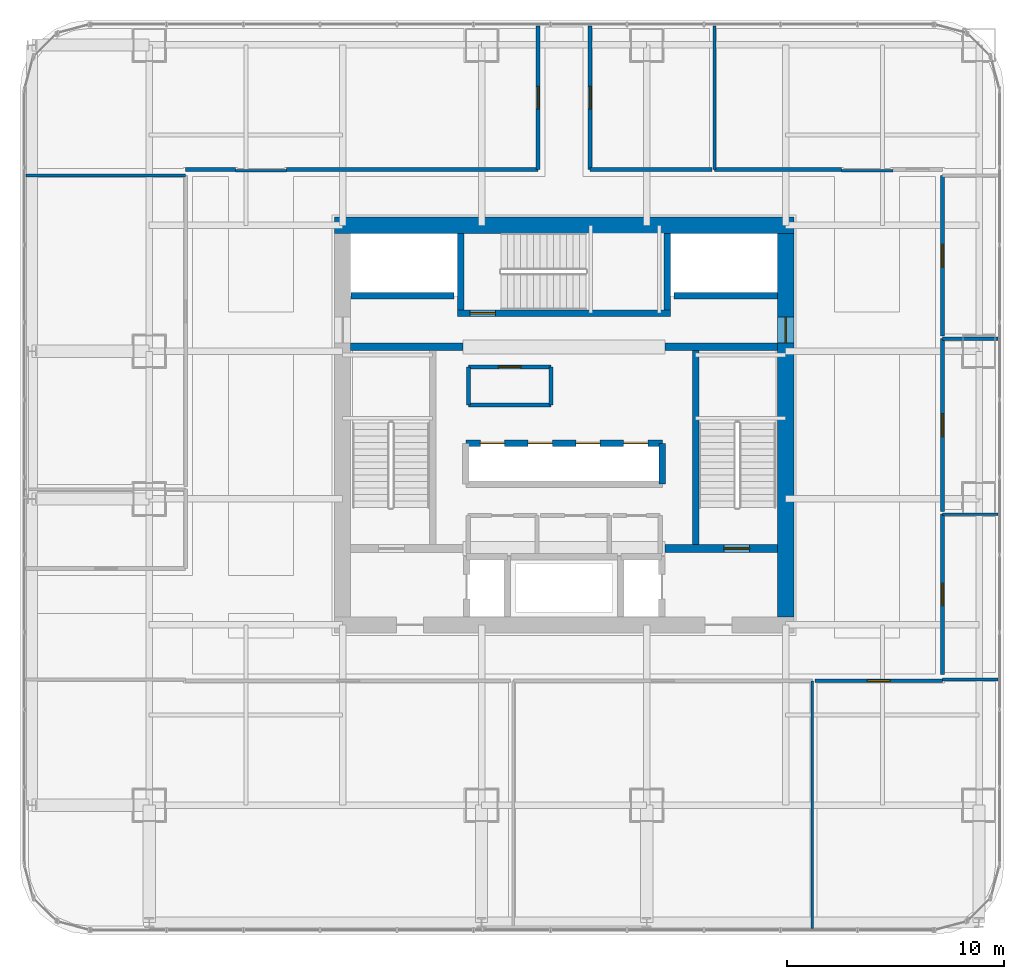
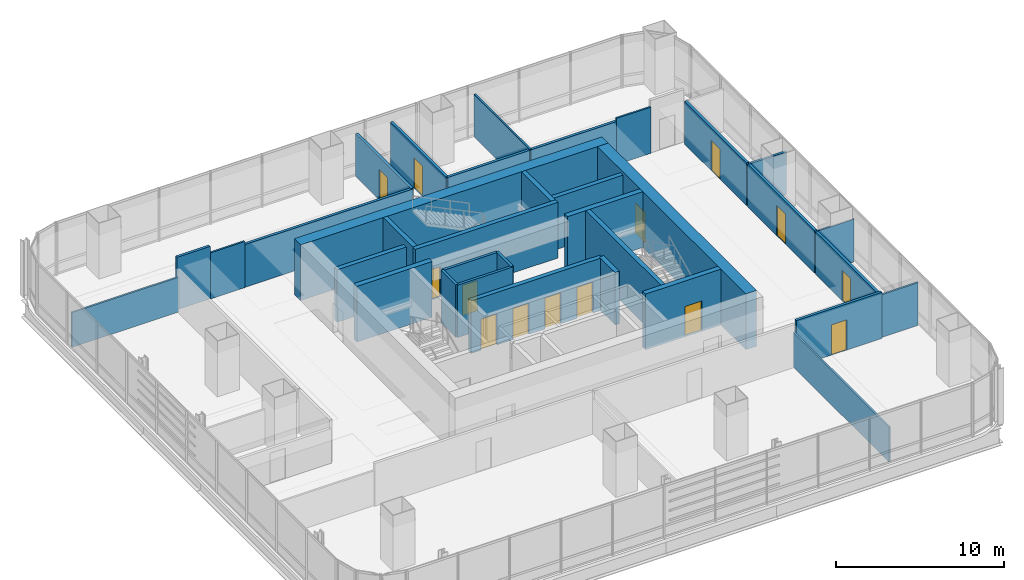
# One storey, part 29 of 36: 35 walls, 14 doors, 14 openings.
"""IFC4 building model written with IfcOpenShell, lengths in metres."""

from ifc_helpers import new_model, si_unit, direction, frame, frame_2d, origin, place, context, subcontext, project, spatial, rectangle, extrude, material, layer, layer_set, type_object, element, fill, save


model = new_model("IFC4")

# Units and contexts
model_context = context("Model", 3, precision=1e-05, world=origin(), true_north=direction((0.0, 1.0)))
body_context = subcontext(model_context, "Body", "Model", "MODEL_VIEW")
ifc_project = project(units=[si_unit("LENGTHUNIT", "METRE"), si_unit("AREAUNIT", "SQUARE_METRE"), si_unit("VOLUMEUNIT", "CUBIC_METRE"), si_unit("PLANEANGLEUNIT", "RADIAN"), si_unit("MASSUNIT", "GRAM", prefix="KILO")], contexts=[model_context])

# Site, building, storey
site_placement = place(None, origin())
site = spatial("IfcSite", under=ifc_project, at=site_placement, CompositionType="ELEMENT")
building_placement = place(site_placement, origin())
building = spatial("IfcBuilding", under=site, at=building_placement, Name="Punatoya Terracotta Tower", CompositionType="ELEMENT")
storey_placement = place(building_placement, frame((0.0, 0.0, 32.25)))
storey = spatial("IfcBuildingStorey", under=building, at=storey_placement, Name="L06", CompositionType="ELEMENT", Elevation=32.25)

# Wall
ifc_material_1 = material(Name="Concrete C60/75", Category="concrete")
ifc_layer_1 = layer(ifc_material_1, 0.75)
ifc_layer_set_1 = layer_set([ifc_layer_1], Name="Concrete C60/75")
wall_type_1 = type_object("IfcWallType", Name="WL-COR-750", PredefinedType="SHEAR", material=ifc_layer_set_1)
wall_1_placement = place(storey_placement, frame((-10.574951171875, 9.199951171875, 0.0), z_axis=(0.0, 0.0, 1.0), x_axis=(1.0, 0.0, 0.0)))
element("IfcWall", 1, at=wall_1_placement, inside=storey, type_object=wall_type_1, Name="L06 Core Shear Wall N", PredefinedType="SHEAR", context=body_context, shape_type="SweptSolid", body=[
    extrude(rectangle(XDim=21.14990234375, YDim=0.75, at=frame_2d((10.574951171875, 0.0))), origin(), (0.0, 0.0, 1.0), 4.050048828125),
])

# Wall, opening, door
wall_2_placement = place(storey_placement, frame((10.199951171875, 8.824951171875, 0.0), z_axis=(0.0, 0.0, 1.0), x_axis=(0.0, -1.0, 0.0)))
wall_2 = element("IfcWall", 2, at=wall_2_placement, inside=storey, type_object=wall_type_1, Name="L06 Core Shear Wall E", PredefinedType="SHEAR", context=body_context, shape_type="SweptSolid", body=[
    extrude(rectangle(XDim=17.64990234375, YDim=0.75, at=frame_2d((8.824951171875, 0.0))), origin(), (0.0, 0.0, 1.0), 4.050048828125),
])
opening_1_placement = place(wall_2_placement, frame((3.85498046875, 0.0, 0.0)))
opening_1 = element("IfcOpeningElement", 3, at=opening_1_placement, cuts=wall_2, Name="Opening SD-01", PredefinedType="OPENING", context=body_context, shape_type="SweptSolid", body=[
    extrude(rectangle(XDim=1.179931640625, YDim=2.199951171875, at=frame_2d((0.58984375, 1.10009765625))), frame((0.0, 0.385009765625, 0.0), z_axis=(0.0, -1.0, 0.0), x_axis=(1.0, 0.0, 0.0)), (0.0, 0.0, 1.0), 0.77001953125),
])
ifc_material_2 = material(Name="Galvanised Steel Pressurized Stair Fire Door", Category="steel")
door_type_1 = type_object("IfcDoorType", Name="DR-STR-1180", OperationType="NOTDEFINED", PredefinedType="DOOR", material=ifc_material_2)
door_1_placement = place(opening_1_placement, origin())
door_1 = element("IfcDoor", 4, at=door_1_placement, inside=storey, type_object=door_type_1, Name="L06 Central Lift Lobby East Fire Door", OperationType="SINGLE_SWING_RIGHT", OverallHeight=2.199951171875, OverallWidth=1.179931640625, PredefinedType="DOOR", context=body_context, shape_type="SweptSolid", body=[
    extrude(rectangle(XDim=1.179931640625, YDim=2.199951171875, at=frame_2d((0.58984375, 1.10009765625))), frame((0.0, 0.02490234375, 0.0), z_axis=(0.0, -1.0, 0.0), x_axis=(1.0, 0.0, 0.0)), (0.0, 0.0, 1.0), 0.050048828125),
])
fill(opening_1, door_1)

# Wall
ifc_material_3 = material(Name="Gypsum Fireboard + Steel Stud", Category="steel")
ifc_layer_2 = layer(ifc_material_3, 0.179931640625)
ifc_layer_set_2 = layer_set([ifc_layer_2], Name="Gypsum Fireboard + Steel Stud")
wall_type_2 = type_object("IfcWallType", Name="WL-CORR-180", PredefinedType="PARTITIONING", material=ifc_layer_set_2)
wall_3_placement = place(storey_placement, frame((-0.60009765625, 0.919921875, 0.0), z_axis=(0.0, 0.0, 1.0), x_axis=(0.0, 1.0, 0.0)))
element("IfcWall", 5, at=wall_3_placement, inside=storey, type_object=wall_type_2, Name="L06 West Core Archive Office Partition 08", PredefinedType="PARTITIONING", context=body_context, shape_type="SweptSolid", body=[
    extrude(rectangle(XDim=1.760009765625, YDim=0.179931640625, at=frame_2d((0.8798828125, 0.0))), origin(), (0.0, 0.0, 1.0), 3.81005859375),
])

# Wall, opening, door
wall_4_placement = place(storey_placement, frame((-0.60009765625, 2.679931640625, 0.0), z_axis=(0.0, 0.0, 1.0), x_axis=(-1.0, 0.0, 0.0)))
wall_4 = element("IfcWall", 6, at=wall_4_placement, inside=storey, type_object=wall_type_2, Name="L06 West Core Archive Office Partition 09", PredefinedType="PARTITIONING", context=body_context, shape_type="SweptSolid", body=[
    extrude(rectangle(XDim=3.7998046875, YDim=0.179931640625, at=frame_2d((1.89990234375, 0.0))), origin(), (0.0, 0.0, 1.0), 3.81005859375),
])
opening_2_placement = place(wall_4_placement, frame((1.375, 0.0, 0.0)))
opening_2 = element("IfcOpeningElement", 7, at=opening_2_placement, cuts=wall_4, Name="Opening OD-01", PredefinedType="OPENING", context=body_context, shape_type="SweptSolid", body=[
    extrude(rectangle(XDim=1.050048828125, YDim=2.199951171875, at=frame_2d((0.52490234375, 1.10009765625))), frame((0.0, 0.099853515625, 0.0), z_axis=(0.0, -1.0, 0.0), x_axis=(1.0, 0.0, 0.0)), (0.0, 0.0, 1.0), 0.199951171875),
])
ifc_material_4 = material(Name="Bengal Teak Solid-Core Leaf")
door_type_2 = type_object("IfcDoorType", Name="DR-OFF-1050", OperationType="NOTDEFINED", PredefinedType="DOOR", material=ifc_material_4)
door_2_placement = place(opening_2_placement, origin())
door_2 = element("IfcDoor", 8, at=door_2_placement, inside=storey, type_object=door_type_2, Name="L06 West Archive Office Door", OperationType="SINGLE_SWING_LEFT", OverallHeight=2.199951171875, OverallWidth=1.050048828125, PredefinedType="DOOR", context=body_context, shape_type="SweptSolid", body=[
    extrude(rectangle(XDim=1.050048828125, YDim=2.199951171875, at=frame_2d((0.52490234375, 1.10009765625))), frame((0.0, 0.02490234375, 0.0), z_axis=(0.0, -1.0, 0.0), x_axis=(1.0, 0.0, 0.0)), (0.0, 0.0, 1.0), 0.050048828125),
])
fill(opening_2, door_2)

# Walls
wall_5_placement = place(storey_placement, frame((-4.39990234375, 2.679931640625, 0.0), z_axis=(0.0, 0.0, 1.0), x_axis=(0.0, -1.0, 0.0)))
element("IfcWall", 9, at=wall_5_placement, inside=storey, type_object=wall_type_2, Name="L06 West Core Archive Office Partition 10", PredefinedType="PARTITIONING", context=body_context, shape_type="SweptSolid", body=[
    extrude(rectangle(XDim=1.760009765625, YDim=0.179931640625, at=frame_2d((0.8798828125, 0.0))), origin(), (0.0, 0.0, 1.0), 3.81005859375),
])
wall_6_placement = place(storey_placement, frame((-4.39990234375, 0.919921875, 0.0), z_axis=(0.0, 0.0, 1.0), x_axis=(1.0, 0.0, 0.0)))
element("IfcWall", 10, at=wall_6_placement, inside=storey, type_object=wall_type_2, Name="L06 West Core Archive Office Partition 11", PredefinedType="PARTITIONING", context=body_context, shape_type="SweptSolid", body=[
    extrude(rectangle(XDim=3.7998046875, YDim=0.179931640625, at=frame_2d((1.89990234375, 0.0))), origin(), (0.0, 0.0, 1.0), 3.81005859375),
])

# Wall, opening, door
wall_7_placement = place(storey_placement, frame((11.550048828125, -11.77001953125, 0.0), z_axis=(0.0, 0.0, 1.0), x_axis=(1.0, 0.0, 0.0)))
wall_7 = element("IfcWall", 11, at=wall_7_placement, inside=storey, type_object=wall_type_2, Name="L06 Open-Plan Project Design Office Partition 18", PredefinedType="PARTITIONING", context=body_context, shape_type="SweptSolid", body=[
    extrude(rectangle(XDim=5.869873046875, YDim=0.179931640625, at=frame_2d((2.93505859375, 0.0))), origin(), (0.0, 0.0, 1.0), 3.35400390625),
])
opening_3_placement = place(wall_7_placement, frame((2.409912109375, 0.0, 0.0)))
opening_3 = element("IfcOpeningElement", 12, at=opening_3_placement, cuts=wall_7, Name="Opening OD-01", PredefinedType="OPENING", context=body_context, shape_type="SweptSolid", body=[
    extrude(rectangle(XDim=1.050048828125, YDim=2.199951171875, at=frame_2d((0.52490234375, 1.10009765625))), frame((0.0, 0.099853515625, 0.0), z_axis=(0.0, -1.0, 0.0), x_axis=(1.0, 0.0, 0.0)), (0.0, 0.0, 1.0), 0.199951171875),
])
door_3_placement = place(opening_3_placement, origin())
door_3 = element("IfcDoor", 13, at=door_3_placement, inside=storey, type_object=door_type_2, Name="L06 Open-Plan Project Design Office Door", OperationType="SINGLE_SWING_RIGHT", OverallHeight=2.199951171875, OverallWidth=1.050048828125, PredefinedType="DOOR", context=body_context, shape_type="SweptSolid", body=[
    extrude(rectangle(XDim=1.050048828125, YDim=2.199951171875, at=frame_2d((0.52490234375, 1.10009765625))), frame((0.0, 0.02490234375, 0.0), z_axis=(0.0, -1.0, 0.0), x_axis=(1.0, 0.0, 0.0)), (0.0, 0.0, 1.0), 0.050048828125),
])
fill(opening_3, door_3)

wall_8_placement = place(storey_placement, frame((17.419921875, -11.489990234375, 0.0), z_axis=(0.0, 0.0, 1.0), x_axis=(0.0, 1.0, 0.0)))
wall_8 = element("IfcWall", 14, at=wall_8_placement, inside=storey, type_object=wall_type_2, Name="L06 Client Strategy Boardroom Partition 20", PredefinedType="PARTITIONING", context=body_context, shape_type="SweptSolid", body=[
    extrude(rectangle(XDim=7.386962890625, YDim=0.179931640625, at=frame_2d((3.693359375, 0.0))), origin(), (0.0, 0.0, 1.0), 3.10400390625),
])
opening_4_placement = place(wall_8_placement, frame((3.18359375, 0.0, 0.0)))
opening_4 = element("IfcOpeningElement", 15, at=opening_4_placement, cuts=wall_8, Name="Opening MD-01", PredefinedType="OPENING", context=body_context, shape_type="SweptSolid", body=[
    extrude(rectangle(XDim=1.02001953125, YDim=2.199951171875, at=frame_2d((0.510009765625, 1.10009765625))), frame((0.0, 0.099853515625, 0.0), z_axis=(0.0, -1.0, 0.0), x_axis=(1.0, 0.0, 0.0)), (0.0, 0.0, 1.0), 0.199951171875),
])
ifc_material_5 = material(Name="Aluminium + Acoustic Glass Leaf", Category="aluminium")
door_type_3 = type_object("IfcDoorType", Name="DR-MTG-1020", OperationType="NOTDEFINED", PredefinedType="DOOR", material=ifc_material_5)
door_4_placement = place(opening_4_placement, origin())
door_4 = element("IfcDoor", 16, at=door_4_placement, inside=storey, type_object=door_type_3, Name="L06 Client Strategy Boardroom Door", OperationType="SINGLE_SWING_LEFT", OverallHeight=2.199951171875, OverallWidth=1.02001953125, PredefinedType="DOOR", context=body_context, shape_type="SweptSolid", body=[
    extrude(rectangle(XDim=1.02001953125, YDim=2.199951171875, at=frame_2d((0.510009765625, 1.10009765625))), frame((0.0, 0.02490234375, 0.0), z_axis=(0.0, -1.0, 0.0), x_axis=(1.0, 0.0, 0.0)), (0.0, 0.0, 1.0), 0.050048828125),
])
fill(opening_4, door_4)

wall_9_placement = place(storey_placement, frame((17.419921875, -3.98291015625, 0.0), z_axis=(0.0, 0.0, 1.0), x_axis=(0.0, 1.0, 0.0)))
wall_9 = element("IfcWall", 17, at=wall_9_placement, inside=storey, type_object=wall_type_2, Name="L06 Open-Plan Staff Tea Pantry Partition 25", PredefinedType="PARTITIONING", context=body_context, shape_type="SweptSolid", body=[
    extrude(rectangle(XDim=7.9658203125, YDim=0.179931640625, at=frame_2d((3.98291015625, 0.0))), origin(), (0.0, 0.0, 1.0), 3.10400390625),
])
opening_5_placement = place(wall_9_placement, frame((3.4580078125, 0.0, 0.0)))
opening_5 = element("IfcOpeningElement", 18, at=opening_5_placement, cuts=wall_9, Name="Opening OD-01", PredefinedType="OPENING", context=body_context, shape_type="SweptSolid", body=[
    extrude(rectangle(XDim=1.050048828125, YDim=2.199951171875, at=frame_2d((0.52490234375, 1.10009765625))), frame((0.0, 0.099853515625, 0.0), z_axis=(0.0, -1.0, 0.0), x_axis=(1.0, 0.0, 0.0)), (0.0, 0.0, 1.0), 0.199951171875),
])
door_5_placement = place(opening_5_placement, origin())
door_5 = element("IfcDoor", 19, at=door_5_placement, inside=storey, type_object=door_type_2, Name="L06 Open-Plan Staff Tea Pantry Door", OperationType="SINGLE_SWING_LEFT", OverallHeight=2.199951171875, OverallWidth=1.050048828125, PredefinedType="DOOR", context=body_context, shape_type="SweptSolid", body=[
    extrude(rectangle(XDim=1.050048828125, YDim=2.199951171875, at=frame_2d((0.52490234375, 1.10009765625))), frame((0.0, 0.02490234375, 0.0), z_axis=(0.0, -1.0, 0.0), x_axis=(1.0, 0.0, 0.0)), (0.0, 0.0, 1.0), 0.050048828125),
])
fill(opening_5, door_5)

wall_10_placement = place(storey_placement, frame((17.419921875, 4.10302734375, 0.0), z_axis=(0.0, 0.0, 1.0), x_axis=(0.0, 1.0, 0.0)))
wall_10 = element("IfcWall", 20, at=wall_10_placement, inside=storey, type_object=wall_type_2, Name="L06 Systems Engineering Office Partition 29", PredefinedType="PARTITIONING", context=body_context, shape_type="SweptSolid", body=[
    extrude(rectangle(XDim=7.386962890625, YDim=0.179931640625, at=frame_2d((3.693359375, 0.0))), origin(), (0.0, 0.0, 1.0), 3.10400390625),
])
opening_6_placement = place(wall_10_placement, frame((3.16845703125, 0.0, 0.0)))
opening_6 = element("IfcOpeningElement", 21, at=opening_6_placement, cuts=wall_10, Name="Opening OD-01", PredefinedType="OPENING", context=body_context, shape_type="SweptSolid", body=[
    extrude(rectangle(XDim=1.050048828125, YDim=2.199951171875, at=frame_2d((0.52490234375, 1.10009765625))), frame((0.0, 0.099853515625, 0.0), z_axis=(0.0, -1.0, 0.0), x_axis=(1.0, 0.0, 0.0)), (0.0, 0.0, 1.0), 0.199951171875),
])
door_6_placement = place(opening_6_placement, origin())
door_6 = element("IfcDoor", 22, at=door_6_placement, inside=storey, type_object=door_type_2, Name="L06 Systems Engineering Office Door", OperationType="SINGLE_SWING_LEFT", OverallHeight=2.199951171875, OverallWidth=1.050048828125, PredefinedType="DOOR", context=body_context, shape_type="SweptSolid", body=[
    extrude(rectangle(XDim=1.050048828125, YDim=2.199951171875, at=frame_2d((0.52490234375, 1.10009765625))), frame((0.0, 0.02490234375, 0.0), z_axis=(0.0, -1.0, 0.0), x_axis=(1.0, 0.0, 0.0)), (0.0, 0.0, 1.0), 0.050048828125),
])
fill(opening_6, door_6)

wall_11_placement = place(storey_placement, frame((-1.199951171875, 18.3701171875, 0.0), z_axis=(0.0, 0.0, 1.0), x_axis=(0.0, -1.0, 0.0)))
wall_11 = element("IfcWall", 23, at=wall_11_placement, inside=storey, type_object=wall_type_2, Name="L06 Quantitative Practice Office Partition 30", PredefinedType="PARTITIONING", context=body_context, shape_type="SweptSolid", body=[
    extrude(rectangle(XDim=6.60009765625, YDim=0.179931640625, at=frame_2d((3.300048828125, 0.0))), origin(), (0.0, 0.0, 1.0), 3.10400390625),
])
opening_7_placement = place(wall_11_placement, frame((2.77490234375, 0.0, 0.0)))
opening_7 = element("IfcOpeningElement", 24, at=opening_7_placement, cuts=wall_11, Name="Opening OD-01", PredefinedType="OPENING", context=body_context, shape_type="SweptSolid", body=[
    extrude(rectangle(XDim=1.050048828125, YDim=2.199951171875, at=frame_2d((0.52490234375, 1.10009765625))), frame((0.0, 0.099853515625, 0.0), z_axis=(0.0, -1.0, 0.0), x_axis=(1.0, 0.0, 0.0)), (0.0, 0.0, 1.0), 0.199951171875),
])
door_7_placement = place(opening_7_placement, origin())
door_7 = element("IfcDoor", 25, at=door_7_placement, inside=storey, type_object=door_type_2, Name="L06 Quantitative Practice Office Door", OperationType="SINGLE_SWING_RIGHT", OverallHeight=2.199951171875, OverallWidth=1.050048828125, PredefinedType="DOOR", context=body_context, shape_type="SweptSolid", body=[
    extrude(rectangle(XDim=1.050048828125, YDim=2.199951171875, at=frame_2d((0.52490234375, 1.10009765625))), frame((0.0, 0.02490234375, 0.0), z_axis=(0.0, -1.0, 0.0), x_axis=(1.0, 0.0, 0.0)), (0.0, 0.0, 1.0), 0.050048828125),
])
fill(opening_7, door_7)

# Walls
wall_12_placement = place(storey_placement, frame((-1.199951171875, 11.77001953125, 0.0), z_axis=(0.0, 0.0, 1.0), x_axis=(-1.0, 0.0, 0.0)))
element("IfcWall", 26, at=wall_12_placement, inside=storey, type_object=wall_type_2, Name="L06 Quantitative Practice Office Partition 31", PredefinedType="PARTITIONING", context=body_context, shape_type="SweptSolid", body=[
    extrude(rectangle(XDim=11.570068359375, YDim=0.179931640625, at=frame_2d((5.78515625, 0.0))), origin(), (0.0, 0.0, 1.0), 3.10400390625),
])
wall_13_placement = place(storey_placement, frame((-15.1298828125, 11.77001953125, 0.0), z_axis=(0.0, 0.0, 1.0), x_axis=(-1.0, 0.0, 0.0)))
element("IfcWall", 27, at=wall_13_placement, inside=storey, type_object=wall_type_2, Name="L06 Quantitative Practice Office Partition 33", PredefinedType="PARTITIONING", context=body_context, shape_type="SweptSolid", body=[
    extrude(rectangle(XDim=2.2900390625, YDim=0.179931640625, at=frame_2d((1.14501953125, 0.0))), origin(), (0.0, 0.0, 1.0), 3.81005859375),
])
wall_14_placement = place(storey_placement, frame((12.77001953125, 11.77001953125, 0.0), z_axis=(0.0, 0.0, 1.0), x_axis=(-1.0, 0.0, 0.0)))
element("IfcWall", 28, at=wall_14_placement, inside=storey, type_object=wall_type_2, Name="L06 Open-Plan Regional Operations Office Partition 36", PredefinedType="PARTITIONING", context=body_context, shape_type="SweptSolid", body=[
    extrude(rectangle(XDim=5.85009765625, YDim=0.179931640625, at=frame_2d((2.925048828125, 0.0))), origin(), (0.0, 0.0, 1.0), 3.10400390625),
])

# Wall, opening, door
wall_15_placement = place(storey_placement, frame((1.199951171875, 11.77001953125, 0.0), z_axis=(0.0, 0.0, 1.0), x_axis=(0.0, 1.0, 0.0)))
wall_15 = element("IfcWall", 29, at=wall_15_placement, inside=storey, type_object=wall_type_2, Name="L06 Open-Plan Global Desk Workplace Partition 38", PredefinedType="PARTITIONING", context=body_context, shape_type="SweptSolid", body=[
    extrude(rectangle(XDim=6.60009765625, YDim=0.179931640625, at=frame_2d((3.300048828125, 0.0))), origin(), (0.0, 0.0, 1.0), 3.10400390625),
])
opening_8_placement = place(wall_15_placement, frame((2.77490234375, 0.0, 0.0)))
opening_8 = element("IfcOpeningElement", 30, at=opening_8_placement, cuts=wall_15, Name="Opening OD-01", PredefinedType="OPENING", context=body_context, shape_type="SweptSolid", body=[
    extrude(rectangle(XDim=1.050048828125, YDim=2.199951171875, at=frame_2d((0.52490234375, 1.10009765625))), frame((0.0, 0.099853515625, 0.0), z_axis=(0.0, -1.0, 0.0), x_axis=(1.0, 0.0, 0.0)), (0.0, 0.0, 1.0), 0.199951171875),
])
door_8_placement = place(opening_8_placement, origin())
door_8 = element("IfcDoor", 31, at=door_8_placement, inside=storey, type_object=door_type_2, Name="L06 Open-Plan Global Desk Workplace Door", OperationType="SINGLE_SWING_RIGHT", OverallHeight=2.199951171875, OverallWidth=1.050048828125, PredefinedType="DOOR", context=body_context, shape_type="SweptSolid", body=[
    extrude(rectangle(XDim=1.050048828125, YDim=2.199951171875, at=frame_2d((0.52490234375, 1.10009765625))), frame((0.0, 0.02490234375, 0.0), z_axis=(0.0, -1.0, 0.0), x_axis=(1.0, 0.0, 0.0)), (0.0, 0.0, 1.0), 0.050048828125),
])
fill(opening_8, door_8)

# Walls
wall_16_placement = place(storey_placement, frame((6.800048828125, 11.77001953125, 0.0), z_axis=(0.0, 0.0, 1.0), x_axis=(-1.0, 0.0, 0.0)))
element("IfcWall", 32, at=wall_16_placement, inside=storey, type_object=wall_type_2, Name="L06 Open-Plan Global Desk Workplace Partition 39", PredefinedType="PARTITIONING", context=body_context, shape_type="SweptSolid", body=[
    extrude(rectangle(XDim=5.60009765625, YDim=0.179931640625, at=frame_2d((2.800048828125, 0.0))), origin(), (0.0, 0.0, 1.0), 3.10400390625),
])
ifc_material_6 = material(Name="Aluminium Framed Acoustic Glass Partition", Category="aluminium")
ifc_layer_3 = layer(ifc_material_6, 0.10009765625)
ifc_layer_set_3 = layer_set([ifc_layer_3], Name="Aluminium Framed Acoustic Glass Partition")
wall_type_3 = type_object("IfcWallType", Name="WL-GLZ-100", PredefinedType="PARTITIONING", material=ifc_layer_set_3)
wall_17_placement = place(storey_placement, frame((17.419921875, -4.10302734375, 0.0), z_axis=(0.0, 0.0, 1.0), x_axis=(1.0, 0.0, 0.0)))
element("IfcWall", 33, at=wall_17_placement, inside=storey, type_object=wall_type_3, Name="L06 Client Strategy Boardroom Partition 19", PredefinedType="PARTITIONING", context=body_context, shape_type="SweptSolid", body=[
    extrude(rectangle(XDim=2.550048828125, YDim=0.10009765625, at=frame_2d((1.27490234375, 0.0))), origin(), (0.0, 0.0, 1.0), 3.10400390625),
])
ifc_material_7 = material(Name="Gypsum Partition + Steel Stud", Category="steel")
ifc_layer_4 = layer(ifc_material_7, 0.1201171875)
ifc_layer_set_4 = layer_set([ifc_layer_4], Name="Gypsum Partition + Steel Stud")
wall_type_4 = type_object("IfcWallType", Name="WL-OFF-120", PredefinedType="PARTITIONING", material=ifc_layer_set_4)
wall_18_placement = place(storey_placement, frame((11.429931640625, -11.77001953125, 0.0), z_axis=(0.0, 0.0, 1.0), x_axis=(0.0, -1.0, 0.0)))
element("IfcWall", 34, at=wall_18_placement, inside=storey, type_object=wall_type_4, Name="L06 Open Workplace Studio Partition 12", PredefinedType="PARTITIONING", context=body_context, shape_type="SweptSolid", body=[
    extrude(rectangle(XDim=11.39990234375, YDim=0.1201171875, at=frame_2d((5.699951171875, 0.0))), origin(), (0.0, 0.0, 1.0), 2.52392578125),
])
wall_19_placement = place(storey_placement, frame((17.419921875, -11.7099609375, 0.0), z_axis=(0.0, 0.0, 1.0), x_axis=(1.0, 0.0, 0.0)))
element("IfcWall", 35, at=wall_19_placement, inside=storey, type_object=wall_type_4, Name="L06 Open-Plan Project Design Office Partition 17", PredefinedType="PARTITIONING", context=body_context, shape_type="SweptSolid", body=[
    extrude(rectangle(XDim=2.550048828125, YDim=0.1201171875, at=frame_2d((1.27490234375, 0.0))), origin(), (0.0, 0.0, 1.0), 3.10400390625),
])
wall_20_placement = place(storey_placement, frame((-24.77001953125, 11.489990234375, 0.0), z_axis=(0.0, 0.0, 1.0), x_axis=(1.0, 0.0, 0.0)))
element("IfcWall", 36, at=wall_20_placement, inside=storey, type_object=wall_type_4, Name="L06 Open-Plan Wellness Quiet Room Partition 26", PredefinedType="PARTITIONING", context=body_context, shape_type="SweptSolid", body=[
    extrude(rectangle(XDim=7.35009765625, YDim=0.1201171875, at=frame_2d((3.675048828125, 0.0))), origin(), (0.0, 0.0, 1.0), 2.52392578125),
])
for number, where, z_axis, x_axis, name in (
    (37, (-12.77001953125, 11.7099609375, 0.0), (0.0, 0.0, 1.0), (-1.0, 0.0, 0.0), "L06 Quantitative Practice Office Partition 32"),
    (38, (15.1298828125, 11.7099609375, 0.0), (0.0, 0.0, 1.0), (-1.0, 0.0, 0.0), "L06 Open-Plan Regional Operations Office Partition 35"),
):
    element("IfcWall", number, at=place(storey_placement, frame(where, z_axis=z_axis, x_axis=x_axis)), inside=storey, type_object=wall_type_4, Name=name, PredefinedType="PARTITIONING", context=body_context, shape_type="SweptSolid", body=[
        extrude(rectangle(XDim=2.35986328125, YDim=0.1201171875, at=frame_2d((1.179931640625, 0.0))), origin(), (0.0, 0.0, 1.0), 3.35400390625),
    ])
wall_21_placement = place(storey_placement, frame((6.919921875, 11.77001953125, 0.0), z_axis=(0.0, 0.0, 1.0), x_axis=(0.0, 1.0, 0.0)))
element("IfcWall", 39, at=wall_21_placement, inside=storey, type_object=wall_type_4, Name="L06 Open-Plan Regional Operations Office Partition 37", PredefinedType="PARTITIONING", context=body_context, shape_type="SweptSolid", body=[
    extrude(rectangle(XDim=6.60009765625, YDim=0.1201171875, at=frame_2d((3.300048828125, 0.0))), origin(), (0.0, 0.0, 1.0), 3.10400390625),
])
ifc_material_8 = material(Name="Concrete C40/50", Category="concrete")
ifc_layer_5 = layer(ifc_material_8, 0.300048828125)
ifc_layer_set_5 = layer_set([ifc_layer_5], Name="Concrete C40/50")
wall_type_5 = type_object("IfcWallType", Name="WL-SHF-300", PredefinedType="SOLIDWALL", material=ifc_layer_set_5)
wall_22_placement = place(storey_placement, frame((6.050048828125, 3.449951171875, 0.0), z_axis=(0.0, 0.0, 1.0), x_axis=(0.0, -1.0, 0.0)))
element("IfcWall", 40, at=wall_22_placement, inside=storey, type_object=wall_type_5, Name="L06 Structural Stair Shaft Wall SW-ST2-W", PredefinedType="SOLIDWALL", context=body_context, shape_type="SweptSolid", body=[
    extrude(rectangle(XDim=8.949951171875, YDim=0.300048828125, at=frame_2d((4.47509765625, 0.0))), origin(), (0.0, 0.0, 1.0), 4.050048828125),
])
for number, where, z_axis, x_axis, name in (
    (41, (-4.75, 5.300048828125, 0.0), (0.0, 0.0, 1.0), (0.0, 1.0, 0.0), "L06 Structural Stair Shaft Wall SW-ST3-W"),
    (42, (4.75, 8.824951171875, 0.0), (0.0, 0.0, 1.0), (0.0, -1.0, 0.0), "L06 Structural Stair Shaft Wall SW-ST3-E"),
):
    element("IfcWall", number, at=place(storey_placement, frame(where, z_axis=z_axis, x_axis=x_axis)), inside=storey, type_object=wall_type_5, Name=name, PredefinedType="SOLIDWALL", context=body_context, shape_type="SweptSolid", body=[
        extrude(rectangle(XDim=3.52490234375, YDim=0.300048828125, at=frame_2d((1.762451171875, 0.0))), origin(), (0.0, 0.0, 1.0), 4.050048828125),
    ])

# Wall, opening, door
wall_23_placement = place(storey_placement, frame((-4.89990234375, 5.14990234375, 0.0), z_axis=(0.0, 0.0, 1.0), x_axis=(1.0, 0.0, 0.0)))
wall_23 = element("IfcWall", 43, at=wall_23_placement, inside=storey, type_object=wall_type_5, Name="L06 Structural Stair Shaft Wall SW-ST3-S", PredefinedType="SOLIDWALL", context=body_context, shape_type="SweptSolid", body=[
    extrude(rectangle(XDim=9.7998046875, YDim=0.300048828125, at=frame_2d((4.89990234375, 0.0))), origin(), (0.0, 0.0, 1.0), 4.050048828125),
])
opening_9_placement = place(wall_23_placement, frame((0.56005859375, 0.0, 0.0)))
opening_9 = element("IfcOpeningElement", 44, at=opening_9_placement, cuts=wall_23, Name="Opening SD-01", PredefinedType="OPENING", context=body_context, shape_type="SweptSolid", body=[
    extrude(rectangle(XDim=1.179931640625, YDim=2.199951171875, at=frame_2d((0.58984375, 1.10009765625))), frame((0.0, 0.159912109375, 0.0), z_axis=(0.0, -1.0, 0.0), x_axis=(1.0, 0.0, 0.0)), (0.0, 0.0, 1.0), 0.320068359375),
])
door_9_placement = place(opening_9_placement, origin())
door_9 = element("IfcDoor", 45, at=door_9_placement, inside=storey, type_object=door_type_1, Name="L06 Stair ST-3 Core Lobby Fire Door", OperationType="SINGLE_SWING_LEFT", OverallHeight=2.199951171875, OverallWidth=1.179931640625, PredefinedType="DOOR", context=body_context, shape_type="SweptSolid", body=[
    extrude(rectangle(XDim=1.179931640625, YDim=2.199951171875, at=frame_2d((0.58984375, 1.10009765625))), frame((0.0, 0.02490234375, 0.0), z_axis=(0.0, -1.0, 0.0), x_axis=(1.0, 0.0, 0.0)), (0.0, 0.0, 1.0), 0.050048828125),
])
fill(opening_9, door_9)

# Wall, openings, doors
wall_24_placement = place(storey_placement, frame((-4.52001953125, -0.840087890625, 0.0), z_axis=(0.0, 0.0, 1.0), x_axis=(1.0, 0.0, 0.0)))
wall_24 = element("IfcWall", 46, at=wall_24_placement, inside=storey, type_object=wall_type_5, Name="L06 South Lift Bank Front Shaft Wall", PredefinedType="SOLIDWALL", context=body_context, shape_type="SweptSolid", body=[
    extrude(rectangle(XDim=9.0400390625, YDim=0.300048828125, at=frame_2d((4.52001953125, 0.0))), origin(), (0.0, 0.0, 1.0), 3.81005859375),
])
opening_10_placement = place(wall_24_placement, frame((0.659912109375, 0.0, 0.0)))
opening_10 = element("IfcOpeningElement", 47, at=opening_10_placement, cuts=wall_24, Name="Opening LD-02", PredefinedType="OPENING", context=body_context, shape_type="SweptSolid", body=[
    extrude(rectangle(XDim=1.1201171875, YDim=2.25, at=frame_2d((0.56005859375, 1.125))), frame((0.0, 0.159912109375, 0.0), z_axis=(0.0, -1.0, 0.0), x_axis=(1.0, 0.0, 0.0)), (0.0, 0.0, 1.0), 0.320068359375),
])
opening_11_placement = place(wall_24_placement, frame((2.860107421875, 0.0, 0.0)))
opening_11 = element("IfcOpeningElement", 48, at=opening_11_placement, cuts=wall_24, Name="Opening LD-02", PredefinedType="OPENING", context=body_context, shape_type="SweptSolid", body=[
    extrude(rectangle(XDim=1.1201171875, YDim=2.25, at=frame_2d((0.56005859375, 1.125))), frame((0.0, 0.159912109375, 0.0), z_axis=(0.0, -1.0, 0.0), x_axis=(1.0, 0.0, 0.0)), (0.0, 0.0, 1.0), 0.320068359375),
])
opening_12_placement = place(wall_24_placement, frame((5.06005859375, 0.0, 0.0)))
opening_12 = element("IfcOpeningElement", 49, at=opening_12_placement, cuts=wall_24, Name="Opening LD-02", PredefinedType="OPENING", context=body_context, shape_type="SweptSolid", body=[
    extrude(rectangle(XDim=1.1201171875, YDim=2.25, at=frame_2d((0.56005859375, 1.125))), frame((0.0, 0.159912109375, 0.0), z_axis=(0.0, -1.0, 0.0), x_axis=(1.0, 0.0, 0.0)), (0.0, 0.0, 1.0), 0.320068359375),
])
opening_13_placement = place(wall_24_placement, frame((7.260009765625, 0.0, 0.0)))
opening_13 = element("IfcOpeningElement", 50, at=opening_13_placement, cuts=wall_24, Name="Opening LD-02", PredefinedType="OPENING", context=body_context, shape_type="SweptSolid", body=[
    extrude(rectangle(XDim=1.1201171875, YDim=2.25, at=frame_2d((0.56005859375, 1.125))), frame((0.0, 0.159912109375, 0.0), z_axis=(0.0, -1.0, 0.0), x_axis=(1.0, 0.0, 0.0)), (0.0, 0.0, 1.0), 0.320068359375),
])
ifc_material_9 = material(Name="Stainless Steel Lift Landing Door", Category="steel")
door_type_4 = type_object("IfcDoorType", Name="DR-LND-1120", OperationType="NOTDEFINED", PredefinedType="DOOR", material=ifc_material_9)
door_10_placement = place(opening_10_placement, origin())
door_10 = element("IfcDoor", 51, at=door_10_placement, inside=storey, type_object=door_type_4, Name="L06 Lift PL-L1 Sliding Landing Door", OperationType="DOUBLE_DOOR_SLIDING", OverallHeight=2.25, OverallWidth=1.1201171875, PredefinedType="DOOR", context=body_context, shape_type="SweptSolid", body=[
    extrude(rectangle(XDim=1.1201171875, YDim=2.25, at=frame_2d((0.56005859375, 1.125))), frame((0.0, 0.02490234375, 0.0), z_axis=(0.0, -1.0, 0.0), x_axis=(1.0, 0.0, 0.0)), (0.0, 0.0, 1.0), 0.050048828125),
])
fill(opening_10, door_10)
door_11_placement = place(opening_11_placement, origin())
door_11 = element("IfcDoor", 52, at=door_11_placement, inside=storey, type_object=door_type_4, Name="L06 Lift PL-L2 Sliding Landing Door", OperationType="DOUBLE_DOOR_SLIDING", OverallHeight=2.25, OverallWidth=1.1201171875, PredefinedType="DOOR", context=body_context, shape_type="SweptSolid", body=[
    extrude(rectangle(XDim=1.1201171875, YDim=2.25, at=frame_2d((0.56005859375, 1.125))), frame((0.0, 0.02490234375, 0.0), z_axis=(0.0, -1.0, 0.0), x_axis=(1.0, 0.0, 0.0)), (0.0, 0.0, 1.0), 0.050048828125),
])
fill(opening_11, door_11)
door_12_placement = place(opening_12_placement, origin())
door_12 = element("IfcDoor", 53, at=door_12_placement, inside=storey, type_object=door_type_4, Name="L06 Lift PL-L3 Sliding Landing Door", OperationType="DOUBLE_DOOR_SLIDING", OverallHeight=2.25, OverallWidth=1.1201171875, PredefinedType="DOOR", context=body_context, shape_type="SweptSolid", body=[
    extrude(rectangle(XDim=1.1201171875, YDim=2.25, at=frame_2d((0.56005859375, 1.125))), frame((0.0, 0.02490234375, 0.0), z_axis=(0.0, -1.0, 0.0), x_axis=(1.0, 0.0, 0.0)), (0.0, 0.0, 1.0), 0.050048828125),
])
fill(opening_12, door_12)
door_13_placement = place(opening_13_placement, origin())
door_13 = element("IfcDoor", 54, at=door_13_placement, inside=storey, type_object=door_type_4, Name="L06 Lift PL-L4 Sliding Landing Door", OperationType="DOUBLE_DOOR_SLIDING", OverallHeight=2.25, OverallWidth=1.1201171875, PredefinedType="DOOR", context=body_context, shape_type="SweptSolid", body=[
    extrude(rectangle(XDim=1.1201171875, YDim=2.25, at=frame_2d((0.56005859375, 1.125))), frame((0.0, 0.02490234375, 0.0), z_axis=(0.0, -1.0, 0.0), x_axis=(1.0, 0.0, 0.0)), (0.0, 0.0, 1.0), 0.050048828125),
])
fill(opening_13, door_13)

# Walls
wall_25_placement = place(storey_placement, frame((4.52001953125, -2.719970703125, 0.0), z_axis=(0.0, 0.0, 1.0), x_axis=(0.0, 1.0, 0.0)))
element("IfcWall", 55, at=wall_25_placement, inside=storey, type_object=wall_type_5, Name="L06 South Lift Bank East End Wall", PredefinedType="SOLIDWALL", context=body_context, shape_type="SweptSolid", body=[
    extrude(rectangle(XDim=1.8798828125, YDim=0.300048828125, at=frame_2d((0.93994140625, 0.0))), origin(), (0.0, 0.0, 1.0), 3.81005859375),
])
for number, where, z_axis, x_axis, name in (
    (56, (-9.820068359375, 5.949951171875, 0.0), (0.0, 0.0, 1.0), (1.0, 0.0, 0.0), "L06 Shuttle SL-1 South Hoistway Wall"),
    (57, (5.06005859375, 5.949951171875, 0.0), (0.0, 0.0, 1.0), (1.0, 0.0, 0.0), "L06 Shuttle SL-2 South Hoistway Wall"),
):
    element("IfcWall", number, at=place(storey_placement, frame(where, z_axis=z_axis, x_axis=x_axis)), inside=storey, type_object=wall_type_5, Name=name, PredefinedType="SOLIDWALL", context=body_context, shape_type="SweptSolid", body=[
        extrude(rectangle(XDim=4.760009765625, YDim=0.300048828125, at=frame_2d((2.3798828125, 0.0))), origin(), (0.0, 0.0, 1.0), 3.81005859375),
    ])

# Wall, opening, door
ifc_material_10 = material(Name="Concrete C50/60", Category="concrete")
ifc_layer_6 = layer(ifc_material_10, 0.35009765625)
ifc_layer_set_6 = layer_set([ifc_layer_6], Name="Concrete C50/60")
wall_type_6 = type_object("IfcWallType", Name="WL-SHF-350", PredefinedType="SOLIDWALL", material=ifc_layer_set_6)
wall_26_placement = place(storey_placement, frame((4.64990234375, -5.679931640625, 0.0), z_axis=(0.0, 0.0, 1.0), x_axis=(1.0, 0.0, 0.0)))
wall_26 = element("IfcWall", 58, at=wall_26_placement, inside=storey, type_object=wall_type_6, Name="L06 Core Web Wall CSW-R", PredefinedType="SOLIDWALL", context=body_context, shape_type="SweptSolid", body=[
    extrude(rectangle(XDim=5.175048828125, YDim=0.35009765625, at=frame_2d((2.58740234375, 0.0))), origin(), (0.0, 0.0, 1.0), 4.050048828125),
])
opening_14_placement = place(wall_26_placement, frame((2.7099609375, 0.0, 0.0)))
opening_14 = element("IfcOpeningElement", 59, at=opening_14_placement, cuts=wall_26, Name="Opening SD-01", PredefinedType="OPENING", context=body_context, shape_type="SweptSolid", body=[
    extrude(rectangle(XDim=1.179931640625, YDim=2.199951171875, at=frame_2d((0.58984375, 1.10009765625))), frame((0.0, 0.18505859375, 0.0), z_axis=(0.0, -1.0, 0.0), x_axis=(1.0, 0.0, 0.0)), (0.0, 0.0, 1.0), 0.3701171875),
])
door_14_placement = place(opening_14_placement, origin())
door_14 = element("IfcDoor", 60, at=door_14_placement, inside=storey, type_object=door_type_1, Name="L06 Stair ST-2 Smokeproof Lobby Fire Door", OperationType="SINGLE_SWING_RIGHT", OverallHeight=2.199951171875, OverallWidth=1.179931640625, PredefinedType="DOOR", context=body_context, shape_type="SweptSolid", body=[
    extrude(rectangle(XDim=1.179931640625, YDim=2.199951171875, at=frame_2d((0.58984375, 1.10009765625))), frame((0.0, 0.02490234375, 0.0), z_axis=(0.0, -1.0, 0.0), x_axis=(1.0, 0.0, 0.0)), (0.0, 0.0, 1.0), 0.050048828125),
])
fill(opening_14, door_14)

# Walls
for number, where, z_axis, x_axis, name in (
    (61, (-9.824951171875, 3.60009765625, 0.0), (0.0, 0.0, 1.0), (1.0, 0.0, 0.0), "L06 Core Web Wall CNW-L"),
    (62, (4.64990234375, 3.60009765625, 0.0), (0.0, 0.0, 1.0), (1.0, 0.0, 0.0), "L06 Core Web Wall CNW-R"),
):
    element("IfcWall", number, at=place(storey_placement, frame(where, z_axis=z_axis, x_axis=x_axis)), inside=storey, type_object=wall_type_6, Name=name, PredefinedType="SOLIDWALL", context=body_context, shape_type="SweptSolid", body=[
        extrude(rectangle(XDim=5.175048828125, YDim=0.35009765625, at=frame_2d((2.58740234375, 0.0))), origin(), (0.0, 0.0, 1.0), 4.050048828125),
    ])
ifc_material_11 = material(Name="Masonry Blockwork + Ceramic Tile", Category="masonry")
ifc_layer_7 = layer(ifc_material_11, 0.159912109375)
ifc_layer_set_7 = layer_set([ifc_layer_7], Name="Masonry Blockwork + Ceramic Tile")
wall_type_7 = type_object("IfcWallType", Name="WL-WET-160", PredefinedType="PARTITIONING", material=ifc_layer_set_7)
wall_27_placement = place(storey_placement, frame((17.419921875, 3.98291015625, 0.0), z_axis=(0.0, 0.0, 1.0), x_axis=(1.0, 0.0, 0.0)))
element("IfcWall", 63, at=wall_27_placement, inside=storey, type_object=wall_type_7, Name="L06 Open-Plan Staff Tea Pantry Partition 24", PredefinedType="PARTITIONING", context=body_context, shape_type="SweptSolid", body=[
    extrude(rectangle(XDim=2.550048828125, YDim=0.159912109375, at=frame_2d((1.27490234375, 0.0))), origin(), (0.0, 0.0, 1.0), 3.10400390625),
])

save(model, "model.ifc")
